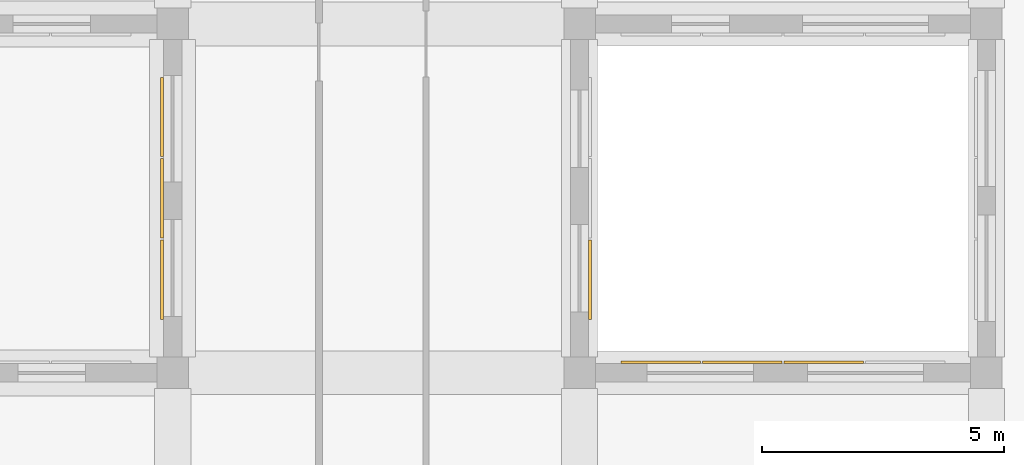
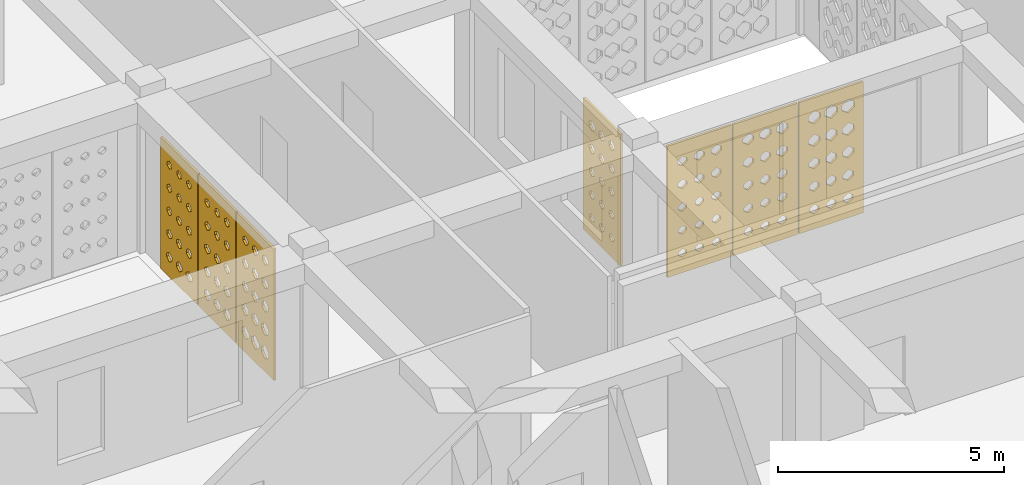
# One storey, part 32 of 47: 7 coverings.
"""IFC4 building model written with IfcOpenShell, lengths in metres."""

from ifc_helpers import new_model, si_unit, derived_unit, direction, frame, origin, place, context, subcontext, project, spatial, polyline, outline, extrude, material, layer, layer_set, type_object, element, save


model = new_model("IFC4")

# Units and contexts
model_context = context("Model", 3, precision=1e-05, world=origin(), true_north=direction((0.0, 1.0)))
body_context = subcontext(model_context, "Body", "Model", "MODEL_VIEW")
ifc_project = project(units=[si_unit("LENGTHUNIT", "METRE"), si_unit("AREAUNIT", "SQUARE_METRE"), si_unit("VOLUMEUNIT", "CUBIC_METRE"), si_unit("PLANEANGLEUNIT", "RADIAN"), si_unit("MASSUNIT", "GRAM", prefix="KILO"), derived_unit("THERMALTRANSMITTANCEUNIT", [(si_unit("POWERUNIT", "WATT"), 1), (si_unit("LENGTHUNIT", "METRE"), -2), (si_unit("THERMODYNAMICTEMPERATUREUNIT", "KELVIN"), -1)])], contexts=[model_context])

# Site, building, storey
site_placement = place(None, origin())
site = spatial("IfcSite", under=ifc_project, at=site_placement, CompositionType="ELEMENT")
building_placement = place(site_placement, origin())
building = spatial("IfcBuilding", under=site, at=building_placement, Name="Veybourne Emporium", CompositionType="ELEMENT")
storey_placement = place(building_placement, frame((0.0, 0.0, 23.39990234375)))
storey = spatial("IfcBuildingStorey", under=building, at=storey_placement, Name="L05", CompositionType="ELEMENT", Elevation=23.39990234375)

# Coverings
ifc_material = material(Name="Warm-White Perforated Aluminium Screen Alloy", Category="aluminium")
ifc_layer_1 = layer(ifc_material, 0.06005859375)
ifc_layer_set_1 = layer_set([ifc_layer_1], Name="Warm-White Perforated Aluminium Screen Alloy")
covering_type_1 = type_object("IfcCoveringType", Name="WaveScreen_SCR-01", PredefinedType="CLADDING", material=ifc_layer_set_1)
covering_1_placement = place(storey_placement, frame((33.35205078125, 52.320068359375, 1.830078125), z_axis=(1.0, 0.0, 0.0), x_axis=(0.0, 1.0, 0.0)))
element("IfcCovering", 1, at=covering_1_placement, inside=storey, type_object=covering_type_1, Name="L05 wave-perforated aluminium screen SCR-01 (22.1)", PredefinedType="CLADDING", context=body_context, shape_type="SweptSolid", body=[
    extrude(outline(polyline([(-0.81982421875, -1.77001953125), (0.81982421875, -1.77001953125), (0.81982421875, 1.77001953125), (-0.81982421875, 1.77001953125), (-0.81982421875, -1.77001953125)]), holes=[polyline([(-0.433349609375, -1.0537109375), (-0.27099609375, -1.1728515625), (-0.27099609375, -1.30712890625), (-0.433349609375, -1.426513671875), (-0.595703125, -1.30712890625), (-0.595703125, -1.1728515625), (-0.433349609375, -1.0537109375)]), polyline([(-0.433349609375, -0.44775390625), (-0.282470703125, -0.55810546875), (-0.282470703125, -0.681884765625), (-0.433349609375, -0.792236328125), (-0.584228515625, -0.681884765625), (-0.584228515625, -0.55810546875), (-0.433349609375, -0.44775390625)]), polyline([(-0.433349609375, 0.15869140625), (-0.29345703125, 0.05712890625), (-0.29345703125, -0.05712890625), (-0.433349609375, -0.15869140625), (-0.5732421875, -0.05712890625), (-0.5732421875, 0.05712890625), (-0.433349609375, 0.15869140625)]), polyline([(-0.433349609375, 0.76611328125), (-0.3037109375, 0.672607421875), (-0.3037109375, 0.5673828125), (-0.433349609375, 0.473876953125), (-0.56298828125, 0.5673828125), (-0.56298828125, 0.672607421875), (-0.433349609375, 0.76611328125)]), polyline([(-0.433349609375, 1.375), (-0.312744140625, 1.288818359375), (-0.312744140625, 1.19140625), (-0.433349609375, 1.10498046875), (-0.553955078125, 1.19140625), (-0.553955078125, 1.288818359375), (-0.433349609375, 1.375)]), polyline([(0.0, -1.06005859375), (0.1572265625, -1.17529296875), (0.1572265625, -1.3046875), (0.0, -1.419921875), (-0.1572265625, -1.3046875), (-0.1572265625, -1.17529296875), (0.0, -1.06005859375)]), polyline([(0.0, -0.453857421875), (0.14599609375, -0.560302734375), (0.14599609375, -0.6796875), (0.0, -0.7861328125), (-0.14599609375, -0.6796875), (-0.14599609375, -0.560302734375), (0.0, -0.453857421875)]), polyline([(0.0, 0.153076171875), (0.13525390625, 0.05517578125), (0.13525390625, -0.05517578125), (0.0, -0.153076171875), (-0.13525390625, -0.05517578125), (-0.13525390625, 0.05517578125), (0.0, 0.153076171875)]), polyline([(0.0, 0.760986328125), (0.12548828125, 0.6708984375), (0.12548828125, 0.569091796875), (0.0, 0.47900390625), (-0.12548828125, 0.569091796875), (-0.12548828125, 0.6708984375), (0.0, 0.760986328125)]), polyline([(0.0, 1.37060546875), (0.116943359375, 1.287109375), (0.116943359375, 1.193115234375), (0.0, 1.109375), (-0.116943359375, 1.193115234375), (-0.116943359375, 1.287109375), (0.0, 1.37060546875)]), polyline([(0.433349609375, -1.06640625), (0.58544921875, -1.177490234375), (0.58544921875, -1.302490234375), (0.433349609375, -1.413818359375), (0.28125, -1.302490234375), (0.28125, -1.177490234375), (0.433349609375, -1.06640625)]), polyline([(0.433349609375, -0.4599609375), (0.57421875, -0.5625), (0.57421875, -0.677490234375), (0.433349609375, -0.780029296875), (0.29248046875, -0.677490234375), (0.29248046875, -0.5625), (0.433349609375, -0.4599609375)]), polyline([(0.433349609375, 0.1474609375), (0.56396484375, 0.052978515625), (0.56396484375, -0.052978515625), (0.433349609375, -0.1474609375), (0.302734375, -0.052978515625), (0.302734375, 0.052978515625), (0.433349609375, 0.1474609375)]), polyline([(0.433349609375, 0.756103515625), (0.5546875, 0.6689453125), (0.5546875, 0.571044921875), (0.433349609375, 0.48388671875), (0.31201171875, 0.571044921875), (0.31201171875, 0.6689453125), (0.433349609375, 0.756103515625)]), polyline([(0.433349609375, 1.36669921875), (0.546875, 1.28564453125), (0.546875, 1.1943359375), (0.433349609375, 1.11328125), (0.319580078125, 1.1943359375), (0.319580078125, 1.28564453125), (0.433349609375, 1.36669921875)])]), origin(), (0.0, 0.0, 1.0), 0.06005859375),
])
covering_2_placement = place(storey_placement, frame((47.0400390625, 50.64794921875, 1.830078125), z_axis=(0.0, -1.0, 0.0), x_axis=(1.0, 0.0, 0.0)))
element("IfcCovering", 2, at=covering_2_placement, inside=storey, type_object=covering_type_1, Name="L05 wave-perforated aluminium screen SCR-01 (32.3)", PredefinedType="CLADDING", context=body_context, shape_type="SweptSolid", body=[
    extrude(outline(polyline([(-0.81982421875, -1.77001953125), (0.81982421875, -1.77001953125), (0.81982421875, 1.77001953125), (-0.81982421875, 1.77001953125), (-0.81982421875, -1.77001953125)]), holes=[polyline([(-0.433349609375, -1.11279296875), (-0.3193359375, -1.194091796875), (-0.3193359375, -1.285888671875), (-0.433349609375, -1.3671875), (-0.54736328125, -1.285888671875), (-0.54736328125, -1.194091796875), (-0.433349609375, -1.11279296875)]), polyline([(-0.433349609375, -0.483154296875), (-0.311279296875, -0.57080078125), (-0.311279296875, -0.669189453125), (-0.433349609375, -0.7568359375), (-0.55517578125, -0.669189453125), (-0.55517578125, -0.57080078125), (-0.433349609375, -0.483154296875)]), polyline([(-0.433349609375, 0.148193359375), (-0.302001953125, 0.05322265625), (-0.302001953125, -0.05322265625), (-0.433349609375, -0.148193359375), (-0.564453125, -0.05322265625), (-0.564453125, 0.05322265625), (-0.433349609375, 0.148193359375)]), polyline([(-0.433349609375, 0.78076171875), (-0.291748046875, 0.677978515625), (-0.291748046875, 0.56201171875), (-0.433349609375, 0.459228515625), (-0.574951171875, 0.56201171875), (-0.574951171875, 0.677978515625), (-0.433349609375, 0.78076171875)]), polyline([(-0.433349609375, 1.414306640625), (-0.280517578125, 1.302734375), (-0.280517578125, 1.17724609375), (-0.433349609375, 1.065673828125), (-0.586181640625, 1.17724609375), (-0.586181640625, 1.302734375), (-0.433349609375, 1.414306640625)]), polyline([(0.0, -1.10888671875), (0.117431640625, -1.19287109375), (0.117431640625, -1.287109375), (0.0, -1.37109375), (-0.117431640625, -1.287109375), (-0.117431640625, -1.19287109375), (0.0, -1.10888671875)]), polyline([(0.0, -0.478271484375), (0.1259765625, -0.569091796875), (0.1259765625, -0.6708984375), (0.0, -0.76171875), (-0.1259765625, -0.6708984375), (-0.1259765625, -0.569091796875), (0.0, -0.478271484375)]), polyline([(0.0, 0.15380859375), (0.1357421875, 0.055419921875), (0.1357421875, -0.055419921875), (0.0, -0.15380859375), (-0.1357421875, -0.055419921875), (-0.1357421875, 0.055419921875), (0.0, 0.15380859375)]), polyline([(0.0, 0.786865234375), (0.146484375, 0.68017578125), (0.146484375, 0.559814453125), (0.0, 0.453125), (-0.146484375, 0.559814453125), (-0.146484375, 0.68017578125), (0.0, 0.786865234375)]), polyline([(0.0, 1.4208984375), (0.157958984375, 1.30517578125), (0.157958984375, 1.1748046875), (0.0, 1.05908203125), (-0.157958984375, 1.1748046875), (-0.157958984375, 1.30517578125), (0.0, 1.4208984375)]), polyline([(0.433349609375, -1.104248046875), (0.554443359375, -1.191162109375), (0.554443359375, -1.288818359375), (0.433349609375, -1.375732421875), (0.312255859375, -1.288818359375), (0.312255859375, -1.191162109375), (0.433349609375, -1.104248046875)]), polyline([(0.433349609375, -0.47314453125), (0.5634765625, -0.567138671875), (0.5634765625, -0.6728515625), (0.433349609375, -0.766845703125), (0.302978515625, -0.6728515625), (0.302978515625, -0.567138671875), (0.433349609375, -0.47314453125)]), polyline([(0.433349609375, 0.159423828125), (0.57373046875, 0.057373046875), (0.57373046875, -0.057373046875), (0.433349609375, -0.159423828125), (0.29296875, -0.057373046875), (0.29296875, 0.057373046875), (0.433349609375, 0.159423828125)]), polyline([(0.433349609375, 0.79296875), (0.5849609375, 0.682373046875), (0.5849609375, 0.5576171875), (0.433349609375, 0.447021484375), (0.28173828125, 0.5576171875), (0.28173828125, 0.682373046875), (0.433349609375, 0.79296875)]), polyline([(0.433349609375, 1.42724609375), (0.596435546875, 1.307373046875), (0.596435546875, 1.172607421875), (0.433349609375, 1.052734375), (0.270263671875, 1.172607421875), (0.270263671875, 1.307373046875), (0.433349609375, 1.42724609375)])]), origin(), (0.0, 0.0, 1.0), 0.06005859375),
])
ifc_layer_2 = layer(ifc_material, 0.06005859375)
ifc_layer_set_2 = layer_set([ifc_layer_2], Name="Warm-White Perforated Aluminium Screen Alloy")
covering_type_2 = type_object("IfcCoveringType", Name="WaveScreen_SCR-02", PredefinedType="CLADDING", material=ifc_layer_set_2)
covering_3_placement = place(storey_placement, frame((42.248046875, 52.320068359375, 1.830078125), z_axis=(-1.0, 0.0, 0.0), x_axis=(0.0, -1.0, 0.0)))
element("IfcCovering", 3, at=covering_3_placement, inside=storey, type_object=covering_type_2, Name="L05 wave-perforated aluminium screen SCR-02 (21.3)", PredefinedType="CLADDING", context=body_context, shape_type="SweptSolid", body=[
    extrude(outline(polyline([(-0.81982421875, -1.77001953125), (0.81982421875, -1.77001953125), (0.81982421875, 1.77001953125), (-0.81982421875, 1.77001953125), (-0.81982421875, -1.77001953125)]), holes=[polyline([(-0.433349609375, -1.12744140625), (-0.331298828125, -1.199462890625), (-0.331298828125, -1.280517578125), (-0.433349609375, -1.3525390625), (-0.535400390625, -1.280517578125), (-0.535400390625, -1.199462890625), (-0.433349609375, -1.12744140625)]), polyline([(-0.433349609375, -0.502685546875), (-0.327392578125, -0.577880859375), (-0.327392578125, -0.662109375), (-0.433349609375, -0.7373046875), (-0.539306640625, -0.662109375), (-0.539306640625, -0.577880859375), (-0.433349609375, -0.502685546875)]), polyline([(-0.433349609375, 0.124267578125), (-0.321533203125, 0.044677734375), (-0.321533203125, -0.044677734375), (-0.433349609375, -0.124267578125), (-0.544921875, -0.044677734375), (-0.544921875, 0.044677734375), (-0.433349609375, 0.124267578125)]), polyline([(-0.433349609375, 0.75341796875), (-0.314208984375, 0.66796875), (-0.314208984375, 0.572021484375), (-0.433349609375, 0.48681640625), (-0.552490234375, 0.572021484375), (-0.552490234375, 0.66796875), (-0.433349609375, 0.75341796875)]), polyline([(-0.433349609375, 1.384033203125), (-0.305419921875, 1.2919921875), (-0.305419921875, 1.18798828125), (-0.433349609375, 1.095947265625), (-0.561279296875, 1.18798828125), (-0.561279296875, 1.2919921875), (-0.433349609375, 1.384033203125)]), polyline([(0.0, -1.12890625), (0.10107421875, -1.199951171875), (0.10107421875, -1.280029296875), (0.0, -1.351318359375), (-0.10107421875, -1.280029296875), (-0.10107421875, -1.199951171875), (0.0, -1.12890625)]), polyline([(0.0, -0.505126953125), (0.10400390625, -0.57861328125), (0.10400390625, -0.661376953125), (0.0, -0.73486328125), (-0.10400390625, -0.661376953125), (-0.10400390625, -0.57861328125), (0.0, -0.505126953125)]), polyline([(0.0, 0.120849609375), (0.10888671875, 0.04345703125), (0.10888671875, -0.04345703125), (0.0, -0.120849609375), (-0.10888671875, -0.04345703125), (-0.10888671875, 0.04345703125), (0.0, 0.120849609375)]), polyline([(0.0, 0.7490234375), (0.115478515625, 0.66650390625), (0.115478515625, 0.573486328125), (0.0, 0.490966796875), (-0.115478515625, 0.573486328125), (-0.115478515625, 0.66650390625), (0.0, 0.7490234375)]), polyline([(0.0, 1.379150390625), (0.123779296875, 1.2900390625), (0.123779296875, 1.18994140625), (0.0, 1.100830078125), (-0.123779296875, 1.18994140625), (-0.123779296875, 1.2900390625), (0.0, 1.379150390625)]), polyline([(0.433349609375, -1.129638671875), (0.53369140625, -1.2001953125), (0.53369140625, -1.27978515625), (0.433349609375, -1.350341796875), (0.3330078125, -1.27978515625), (0.3330078125, -1.2001953125), (0.433349609375, -1.129638671875)]), polyline([(0.433349609375, -0.507080078125), (0.53564453125, -0.579345703125), (0.53564453125, -0.66064453125), (0.433349609375, -0.73291015625), (0.330810546875, -0.66064453125), (0.330810546875, -0.579345703125), (0.433349609375, -0.507080078125)]), polyline([(0.433349609375, 0.117919921875), (0.539794921875, 0.04248046875), (0.539794921875, -0.04248046875), (0.433349609375, -0.117919921875), (0.326904296875, -0.04248046875), (0.326904296875, 0.04248046875), (0.433349609375, 0.117919921875)]), polyline([(0.433349609375, 0.7451171875), (0.545654296875, 0.6650390625), (0.545654296875, 0.574951171875), (0.433349609375, 0.494873046875), (0.321044921875, 0.574951171875), (0.321044921875, 0.6650390625), (0.433349609375, 0.7451171875)]), polyline([(0.433349609375, 1.374267578125), (0.55322265625, 1.288330078125), (0.55322265625, 1.191650390625), (0.433349609375, 1.105712890625), (0.3134765625, 1.191650390625), (0.3134765625, 1.288330078125), (0.433349609375, 1.374267578125)])]), origin(), (0.0, 0.0, 1.0), 0.06005859375),
])
covering_4_placement = place(storey_placement, frame((33.35205078125, 54.0, 1.830078125), z_axis=(1.0, 0.0, 0.0), x_axis=(0.0, 1.0, 0.0)))
element("IfcCovering", 4, at=covering_4_placement, inside=storey, type_object=covering_type_2, Name="L05 wave-perforated aluminium screen SCR-02 (22.2)", PredefinedType="CLADDING", context=body_context, shape_type="SweptSolid", body=[
    extrude(outline(polyline([(-0.81982421875, -1.77001953125), (0.81982421875, -1.77001953125), (0.81982421875, 1.77001953125), (-0.81982421875, 1.77001953125), (-0.81982421875, -1.77001953125)]), holes=[polyline([(-0.433349609375, -1.077880859375), (-0.290771484375, -1.181640625), (-0.290771484375, -1.29833984375), (-0.433349609375, -1.402099609375), (-0.575927734375, -1.29833984375), (-0.575927734375, -1.181640625), (-0.433349609375, -1.077880859375)]), polyline([(-0.433349609375, -0.470703125), (-0.301025390625, -0.566162109375), (-0.301025390625, -0.673828125), (-0.433349609375, -0.769287109375), (-0.5654296875, -0.673828125), (-0.5654296875, -0.566162109375), (-0.433349609375, -0.470703125)]), polyline([(-0.433349609375, 0.137939453125), (-0.310546875, 0.049560546875), (-0.310546875, -0.049560546875), (-0.433349609375, -0.137939453125), (-0.55615234375, -0.049560546875), (-0.55615234375, 0.049560546875), (-0.433349609375, 0.137939453125)]), polyline([(-0.433349609375, 0.748046875), (-0.318603515625, 0.666015625), (-0.318603515625, 0.573974609375), (-0.433349609375, 0.491943359375), (-0.548095703125, 0.573974609375), (-0.548095703125, 0.666015625), (-0.433349609375, 0.748046875)]), polyline([(-0.433349609375, 1.360107421875), (-0.3251953125, 1.283203125), (-0.3251953125, 1.19677734375), (-0.433349609375, 1.119873046875), (-0.54150390625, 1.19677734375), (-0.54150390625, 1.283203125), (-0.433349609375, 1.360107421875)]), polyline([(0.0, -1.083740234375), (0.1376953125, -1.18359375), (0.1376953125, -1.29638671875), (0.0, -1.396240234375), (-0.1376953125, -1.29638671875), (-0.1376953125, -1.18359375), (0.0, -1.083740234375)]), polyline([(0.0, -0.47607421875), (0.127685546875, -0.568115234375), (0.127685546875, -0.671875), (0.0, -0.763916015625), (-0.127685546875, -0.671875), (-0.127685546875, -0.568115234375), (0.0, -0.47607421875)]), polyline([(0.0, 0.13330078125), (0.118896484375, 0.048095703125), (0.118896484375, -0.048095703125), (0.0, -0.13330078125), (-0.118896484375, -0.048095703125), (-0.118896484375, 0.048095703125), (0.0, 0.13330078125)]), polyline([(0.0, 0.744140625), (0.111572265625, 0.664794921875), (0.111572265625, 0.5751953125), (0.0, 0.495849609375), (-0.111572265625, 0.5751953125), (-0.111572265625, 0.664794921875), (0.0, 0.744140625)]), polyline([(0.0, 1.357177734375), (0.10595703125, 1.2822265625), (0.10595703125, 1.19775390625), (0.0, 1.122802734375), (-0.10595703125, 1.19775390625), (-0.10595703125, 1.2822265625), (0.0, 1.357177734375)]), polyline([(0.433349609375, -1.08935546875), (0.56640625, -1.185791015625), (0.56640625, -1.294189453125), (0.433349609375, -1.390625), (0.300048828125, -1.294189453125), (0.300048828125, -1.185791015625), (0.433349609375, -1.08935546875)]), polyline([(0.433349609375, -0.481201171875), (0.556884765625, -0.570068359375), (0.556884765625, -0.669921875), (0.433349609375, -0.7587890625), (0.3095703125, -0.669921875), (0.3095703125, -0.570068359375), (0.433349609375, -0.481201171875)]), polyline([(0.433349609375, 0.12890625), (0.548828125, 0.04638671875), (0.548828125, -0.04638671875), (0.433349609375, -0.12890625), (0.31787109375, -0.04638671875), (0.31787109375, 0.04638671875), (0.433349609375, 0.12890625)]), polyline([(0.433349609375, 0.74072265625), (0.542236328125, 0.66357421875), (0.542236328125, 0.576416015625), (0.433349609375, 0.499267578125), (0.324462890625, 0.576416015625), (0.324462890625, 0.66357421875), (0.433349609375, 0.74072265625)]), polyline([(0.433349609375, 1.354736328125), (0.537353515625, 1.28125), (0.537353515625, 1.19873046875), (0.433349609375, 1.125244140625), (0.329345703125, 1.19873046875), (0.329345703125, 1.28125), (0.433349609375, 1.354736328125)])]), origin(), (0.0, 0.0, 1.0), 0.06005859375),
])
ifc_layer_3 = layer(ifc_material, 0.06005859375)
ifc_layer_set_3 = layer_set([ifc_layer_3], Name="Warm-White Perforated Aluminium Screen Alloy")
covering_type_3 = type_object("IfcCoveringType", Name="WaveScreen_SCR-03", PredefinedType="CLADDING", material=ifc_layer_set_3)
covering_5_placement = place(storey_placement, frame((33.35205078125, 55.679931640625, 1.830078125), z_axis=(1.0, 0.0, 0.0), x_axis=(0.0, 1.0, 0.0)))
element("IfcCovering", 5, at=covering_5_placement, inside=storey, type_object=covering_type_3, Name="L05 wave-perforated aluminium screen SCR-03 (22.3)", PredefinedType="CLADDING", context=body_context, shape_type="SweptSolid", body=[
    extrude(outline(polyline([(-0.81982421875, -1.77001953125), (0.81982421875, -1.77001953125), (0.81982421875, 1.77001953125), (-0.81982421875, 1.77001953125), (-0.81982421875, -1.77001953125)]), holes=[polyline([(-0.433349609375, -1.099365234375), (-0.30810546875, -1.189453125), (-0.30810546875, -1.29052734375), (-0.433349609375, -1.380615234375), (-0.558349609375, -1.29052734375), (-0.558349609375, -1.189453125), (-0.433349609375, -1.099365234375)]), polyline([(-0.433349609375, -0.489501953125), (-0.316650390625, -0.572998046875), (-0.316650390625, -0.6669921875), (-0.433349609375, -0.75048828125), (-0.550048828125, -0.6669921875), (-0.550048828125, -0.572998046875), (-0.433349609375, -0.489501953125)]), polyline([(-0.433349609375, 0.121826171875), (-0.323486328125, 0.0439453125), (-0.323486328125, -0.0439453125), (-0.433349609375, -0.121826171875), (-0.543212890625, -0.0439453125), (-0.543212890625, 0.0439453125), (-0.433349609375, 0.121826171875)]), polyline([(-0.433349609375, 0.735595703125), (-0.32861328125, 0.66162109375), (-0.32861328125, 0.578369140625), (-0.433349609375, 0.50439453125), (-0.537841796875, 0.578369140625), (-0.537841796875, 0.66162109375), (-0.433349609375, 0.735595703125)]), polyline([(-0.433349609375, 1.3515625), (-0.33203125, 1.2802734375), (-0.33203125, 1.19970703125), (-0.433349609375, 1.12841796875), (-0.53466796875, 1.19970703125), (-0.53466796875, 1.2802734375), (-0.433349609375, 1.3515625)]), polyline([(0.0, -1.104248046875), (0.12109375, -1.191162109375), (0.12109375, -1.288818359375), (0.0, -1.375732421875), (-0.12109375, -1.288818359375), (-0.12109375, -1.191162109375), (0.0, -1.104248046875)]), polyline([(0.0, -0.49365234375), (0.11328125, -0.574462890625), (0.11328125, -0.66552734375), (0.0, -0.746337890625), (-0.11328125, -0.66552734375), (-0.11328125, -0.574462890625), (0.0, -0.49365234375)]), polyline([(0.0, 0.118896484375), (0.107177734375, 0.042724609375), (0.107177734375, -0.042724609375), (0.0, -0.118896484375), (-0.107177734375, -0.042724609375), (-0.107177734375, 0.042724609375), (0.0, 0.118896484375)]), polyline([(0.0, 0.7333984375), (0.102783203125, 0.660888671875), (0.102783203125, 0.5791015625), (0.0, 0.506591796875), (-0.102783203125, 0.5791015625), (-0.102783203125, 0.660888671875), (0.0, 0.7333984375)]), polyline([(0.0, 1.3505859375), (0.1005859375, 1.27978515625), (0.1005859375, 1.2001953125), (0.0, 1.12939453125), (-0.1005859375, 1.2001953125), (-0.1005859375, 1.27978515625), (0.0, 1.3505859375)]), polyline([(0.433349609375, -1.108642578125), (0.55078125, -1.192626953125), (0.55078125, -1.287353515625), (0.433349609375, -1.371337890625), (0.31591796875, -1.287353515625), (0.31591796875, -1.192626953125), (0.433349609375, -1.108642578125)]), polyline([(0.433349609375, -0.497314453125), (0.543701171875, -0.57568359375), (0.543701171875, -0.664306640625), (0.433349609375, -0.74267578125), (0.322998046875, -0.664306640625), (0.322998046875, -0.57568359375), (0.433349609375, -0.497314453125)]), polyline([(0.433349609375, 0.1162109375), (0.538330078125, 0.041748046875), (0.538330078125, -0.041748046875), (0.433349609375, -0.1162109375), (0.328369140625, -0.041748046875), (0.328369140625, 0.041748046875), (0.433349609375, 0.1162109375)]), polyline([(0.433349609375, 0.73193359375), (0.534912109375, 0.660400390625), (0.534912109375, 0.57958984375), (0.433349609375, 0.508056640625), (0.331787109375, 0.57958984375), (0.331787109375, 0.660400390625), (0.433349609375, 0.73193359375)]), polyline([(0.433349609375, 1.35009765625), (0.533447265625, 1.279541015625), (0.533447265625, 1.200439453125), (0.433349609375, 1.1298828125), (0.333251953125, 1.200439453125), (0.333251953125, 1.279541015625), (0.433349609375, 1.35009765625)])]), origin(), (0.0, 0.0, 1.0), 0.06005859375),
])
covering_6_placement = place(storey_placement, frame((43.679931640625, 50.64794921875, 1.830078125), z_axis=(0.0, -1.0, 0.0), x_axis=(1.0, 0.0, 0.0)))
element("IfcCovering", 6, at=covering_6_placement, inside=storey, type_object=covering_type_3, Name="L05 wave-perforated aluminium screen SCR-03 (32.1)", PredefinedType="CLADDING", context=body_context, shape_type="SweptSolid", body=[
    extrude(outline(polyline([(-0.81982421875, -1.77001953125), (0.81982421875, -1.77001953125), (0.81982421875, 1.77001953125), (-0.81982421875, 1.77001953125), (-0.81982421875, -1.77001953125)]), holes=[polyline([(-0.433349609375, -1.1298828125), (-0.333251953125, -1.200439453125), (-0.333251953125, -1.279541015625), (-0.433349609375, -1.35009765625), (-0.533447265625, -1.279541015625), (-0.533447265625, -1.200439453125), (-0.433349609375, -1.1298828125)]), polyline([(-0.433349609375, -0.5078125), (-0.33154296875, -0.57958984375), (-0.33154296875, -0.660400390625), (-0.433349609375, -0.732177734375), (-0.534912109375, -0.660400390625), (-0.534912109375, -0.57958984375), (-0.433349609375, -0.5078125)]), polyline([(-0.433349609375, 0.116455078125), (-0.328125, 0.0419921875), (-0.328125, -0.0419921875), (-0.433349609375, -0.116455078125), (-0.53857421875, -0.0419921875), (-0.53857421875, 0.0419921875), (-0.433349609375, 0.116455078125)]), polyline([(-0.433349609375, 0.7431640625), (-0.322509765625, 0.664306640625), (-0.322509765625, 0.57568359375), (-0.433349609375, 0.496826171875), (-0.544189453125, 0.57568359375), (-0.544189453125, 0.664306640625), (-0.433349609375, 0.7431640625)]), polyline([(-0.433349609375, 1.371826171875), (-0.3154296875, 1.28759765625), (-0.3154296875, 1.1923828125), (-0.433349609375, 1.108154296875), (-0.55126953125, 1.1923828125), (-0.55126953125, 1.28759765625), (-0.433349609375, 1.371826171875)]), polyline([(0.0, -1.12939453125), (0.1005859375, -1.2001953125), (0.1005859375, -1.27978515625), (0.0, -1.3505859375), (-0.1005859375, -1.27978515625), (-0.1005859375, -1.2001953125), (0.0, -1.12939453125)]), polyline([(0.0, -0.50634765625), (0.10302734375, -0.5791015625), (0.10302734375, -0.660888671875), (0.0, -0.733642578125), (-0.10302734375, -0.660888671875), (-0.10302734375, -0.5791015625), (0.0, -0.50634765625)]), polyline([(0.0, 0.119140625), (0.107421875, 0.04296875), (0.107421875, -0.04296875), (0.0, -0.119140625), (-0.107421875, -0.04296875), (-0.107421875, 0.04296875), (0.0, 0.119140625)]), polyline([(0.0, 0.746826171875), (0.11376953125, 0.665771484375), (0.11376953125, 0.57421875), (0.0, 0.4931640625), (-0.11376953125, 0.57421875), (-0.11376953125, 0.665771484375), (0.0, 0.746826171875)]), polyline([(0.0, 1.37646484375), (0.12158203125, 1.2890625), (0.12158203125, 1.19091796875), (0.0, 1.103515625), (-0.12158203125, 1.19091796875), (-0.12158203125, 1.2890625), (0.0, 1.37646484375)]), polyline([(0.433349609375, -1.128173828125), (0.534912109375, -1.19970703125), (0.534912109375, -1.2802734375), (0.433349609375, -1.351806640625), (0.331787109375, -1.2802734375), (0.331787109375, -1.19970703125), (0.433349609375, -1.128173828125)]), polyline([(0.433349609375, -0.504150390625), (0.5380859375, -0.578369140625), (0.5380859375, -0.66162109375), (0.433349609375, -0.73583984375), (0.32861328125, -0.66162109375), (0.32861328125, -0.578369140625), (0.433349609375, -0.504150390625)]), polyline([(0.433349609375, 0.122314453125), (0.54345703125, 0.0439453125), (0.54345703125, -0.0439453125), (0.433349609375, -0.122314453125), (0.3232421875, -0.0439453125), (0.3232421875, 0.0439453125), (0.433349609375, 0.122314453125)]), polyline([(0.433349609375, 0.7509765625), (0.55029296875, 0.6669921875), (0.55029296875, 0.572998046875), (0.433349609375, 0.489013671875), (0.316162109375, 0.572998046875), (0.316162109375, 0.6669921875), (0.433349609375, 0.7509765625)]), polyline([(0.433349609375, 1.38134765625), (0.558837890625, 1.291015625), (0.558837890625, 1.189208984375), (0.433349609375, 1.0986328125), (0.3076171875, 1.189208984375), (0.3076171875, 1.291015625), (0.433349609375, 1.38134765625)])]), origin(), (0.0, 0.0, 1.0), 0.06005859375),
])
ifc_layer_4 = layer(ifc_material, 0.06005859375)
ifc_layer_set_4 = layer_set([ifc_layer_4], Name="Warm-White Perforated Aluminium Screen Alloy")
covering_type_4 = type_object("IfcCoveringType", Name="WaveScreen_SCR-04", PredefinedType="CLADDING", material=ifc_layer_set_4)
covering_7_placement = place(storey_placement, frame((45.360107421875, 50.64794921875, 1.830078125), z_axis=(0.0, -1.0, 0.0), x_axis=(1.0, 0.0, 0.0)))
element("IfcCovering", 7, at=covering_7_placement, inside=storey, type_object=covering_type_4, Name="L05 wave-perforated aluminium screen SCR-04 (32.2)", PredefinedType="CLADDING", context=body_context, shape_type="SweptSolid", body=[
    extrude(outline(polyline([(-0.81982421875, -1.77001953125), (0.81982421875, -1.77001953125), (0.81982421875, 1.77001953125), (-0.81982421875, 1.77001953125), (-0.81982421875, -1.77001953125)]), holes=[polyline([(-0.433349609375, -1.125), (-0.3291015625, -1.198486328125), (-0.3291015625, -1.281494140625), (-0.433349609375, -1.35498046875), (-0.53759765625, -1.281494140625), (-0.53759765625, -1.198486328125), (-0.433349609375, -1.125)]), polyline([(-0.433349609375, -0.498779296875), (-0.32421875, -0.576416015625), (-0.32421875, -0.66357421875), (-0.433349609375, -0.7412109375), (-0.54248046875, -0.66357421875), (-0.54248046875, -0.576416015625), (-0.433349609375, -0.498779296875)]), polyline([(-0.433349609375, 0.12939453125), (-0.3173828125, 0.046630859375), (-0.3173828125, -0.046630859375), (-0.433349609375, -0.12939453125), (-0.54931640625, -0.046630859375), (-0.54931640625, 0.046630859375), (-0.433349609375, 0.12939453125)]), polyline([(-0.433349609375, 0.759521484375), (-0.30908203125, 0.670166015625), (-0.30908203125, 0.56982421875), (-0.433349609375, 0.48046875), (-0.5576171875, 0.56982421875), (-0.5576171875, 0.670166015625), (-0.433349609375, 0.759521484375)]), polyline([(-0.433349609375, 1.391357421875), (-0.299560546875, 1.29443359375), (-0.299560546875, 1.185546875), (-0.433349609375, 1.088623046875), (-0.567138671875, 1.185546875), (-0.567138671875, 1.29443359375), (-0.433349609375, 1.391357421875)]), polyline([(0.0, -1.122314453125), (0.106201171875, -1.19775390625), (0.106201171875, -1.2822265625), (0.0, -1.357666015625), (-0.106201171875, -1.2822265625), (-0.106201171875, -1.19775390625), (0.0, -1.122314453125)]), polyline([(0.0, -0.495361328125), (0.112060546875, -0.5751953125), (0.112060546875, -0.664794921875), (0.0, -0.74462890625), (-0.112060546875, -0.664794921875), (-0.112060546875, -0.5751953125), (0.0, -0.495361328125)]), polyline([(0.0, 0.1337890625), (0.119384765625, 0.048095703125), (0.119384765625, -0.048095703125), (0.0, -0.1337890625), (-0.119384765625, -0.048095703125), (-0.119384765625, 0.048095703125), (0.0, 0.1337890625)]), polyline([(0.0, 0.7646484375), (0.12841796875, 0.672119140625), (0.12841796875, 0.56787109375), (0.0, 0.475341796875), (-0.12841796875, 0.56787109375), (-0.12841796875, 0.672119140625), (0.0, 0.7646484375)]), polyline([(0.0, 1.39697265625), (0.138427734375, 1.29638671875), (0.138427734375, 1.18359375), (0.0, 1.0830078125), (-0.138427734375, 1.18359375), (-0.138427734375, 1.29638671875), (0.0, 1.39697265625)]), polyline([(0.433349609375, -1.119384765625), (0.5419921875, -1.196533203125), (0.5419921875, -1.283447265625), (0.433349609375, -1.360595703125), (0.32470703125, -1.283447265625), (0.32470703125, -1.196533203125), (0.433349609375, -1.119384765625)]), polyline([(0.433349609375, -0.491455078125), (0.548583984375, -0.57373046875), (0.548583984375, -0.666259765625), (0.433349609375, -0.74853515625), (0.318115234375, -0.666259765625), (0.318115234375, -0.57373046875), (0.433349609375, -0.491455078125)]), polyline([(0.433349609375, 0.138427734375), (0.556640625, 0.0498046875), (0.556640625, -0.0498046875), (0.433349609375, -0.138427734375), (0.31005859375, -0.0498046875), (0.31005859375, 0.0498046875), (0.433349609375, 0.138427734375)]), polyline([(0.433349609375, 0.77001953125), (0.566162109375, 0.674072265625), (0.566162109375, 0.56591796875), (0.433349609375, 0.469970703125), (0.300537109375, 0.56591796875), (0.300537109375, 0.674072265625), (0.433349609375, 0.77001953125)]), polyline([(0.433349609375, 1.40283203125), (0.57666015625, 1.298583984375), (0.57666015625, 1.181396484375), (0.433349609375, 1.0771484375), (0.2900390625, 1.181396484375), (0.2900390625, 1.298583984375), (0.433349609375, 1.40283203125)])]), origin(), (0.0, 0.0, 1.0), 0.06005859375),
])

save(model, "model.ifc")
